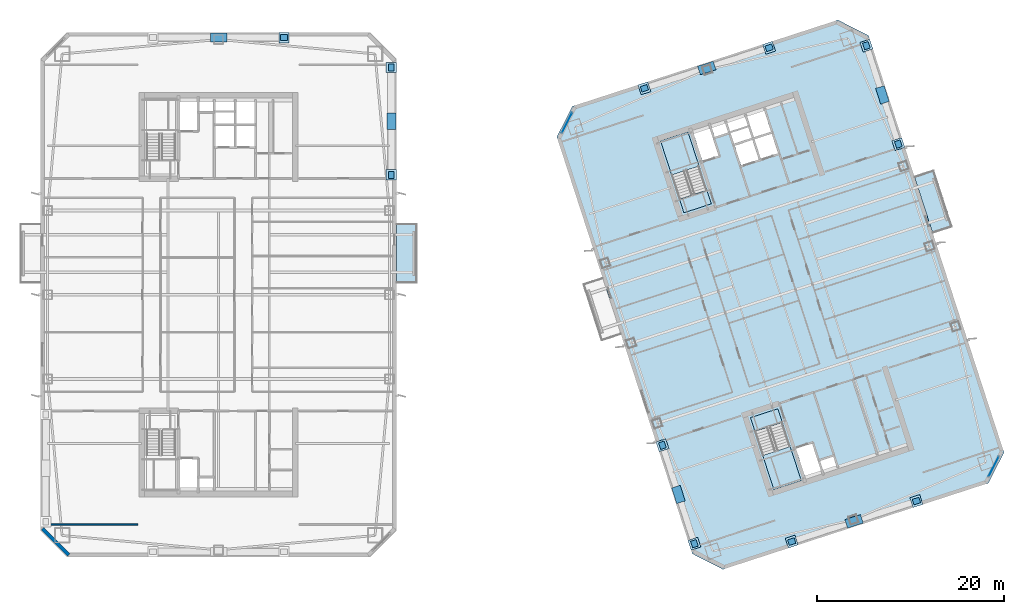
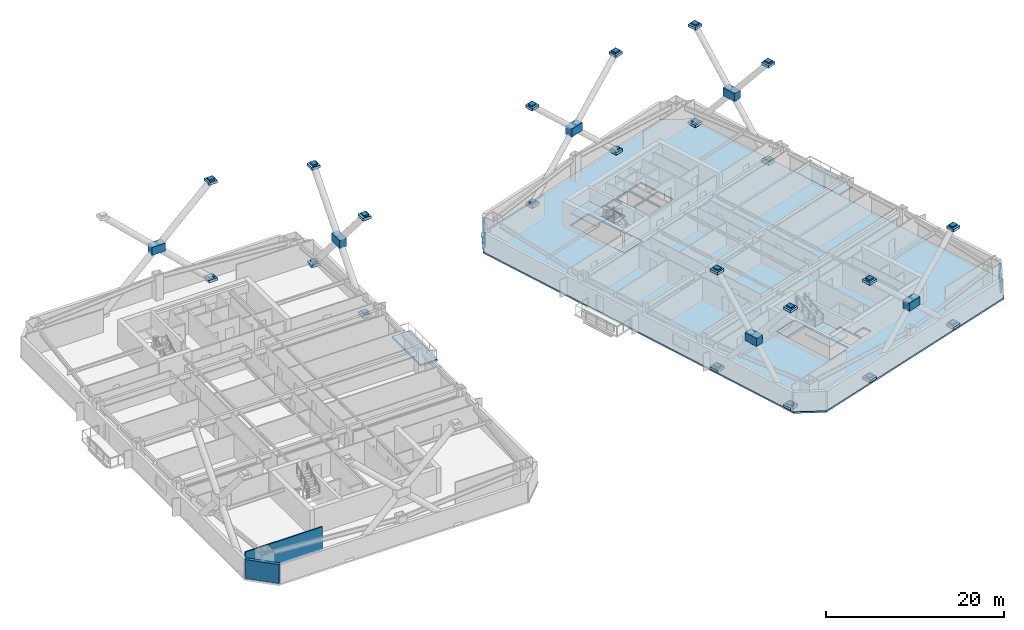
# One storey, part 11 of 24: 54 plates, 7 slabs, 2 walls, 4 elements without a shape of their own.
"""IFC4 building model written with IfcOpenShell, lengths in metres."""

from ifc_helpers import new_model, si_unit, direction, frame, frame_2d, origin, origin_2d, place, context, subcontext, project, spatial, polyline, rectangle, outline, extrude, material, layer, layer_set, type_object, element, aggregate, save


model = new_model("IFC4")

# Units and contexts
model_context = context("Model", 3, precision=1e-05, world=origin(), true_north=direction((0.0, 1.0)))
body_context = subcontext(model_context, "Body", "Model", "MODEL_VIEW")
ifc_project = project(units=[si_unit("LENGTHUNIT", "METRE"), si_unit("AREAUNIT", "SQUARE_METRE"), si_unit("VOLUMEUNIT", "CUBIC_METRE"), si_unit("PLANEANGLEUNIT", "RADIAN"), si_unit("MASSUNIT", "GRAM", prefix="KILO")], contexts=[model_context])

# Site, building, storey
site_placement = place(None, origin())
site = spatial("IfcSite", under=ifc_project, at=site_placement, CompositionType="ELEMENT")
building_placement = place(site_placement, origin())
building = spatial("IfcBuilding", under=site, at=building_placement, Name="Qiaolan Cultural Towers", CompositionType="ELEMENT")
storey_placement = place(building_placement, frame((0.0, 0.0, 120.75)))
storey = spatial("IfcBuildingStorey", under=building, at=storey_placement, Name="L31", CompositionType="ELEMENT", Elevation=120.75)

# Curtain wall, plates
ifc_material_1 = material(Name="Unitized Anodized Aluminium Curtain Wall System", Category="aluminium")
ifc_layer_1 = layer(ifc_material_1, 0.199951171875)
ifc_layer_set_1 = layer_set([ifc_layer_1], Name="Unitized Anodized Aluminium Curtain Wall System")
curtain_wall_type = type_object("IfcCurtainWallType", Name="CWS-03", PredefinedType="NOTDEFINED", material=ifc_layer_set_1)
curtain_wall_1_placement = place(storey_placement, origin())
curtain_wall_1 = element("IfcCurtainWall", 1, at=curtain_wall_1_placement, inside=storey, type_object=curtain_wall_type, Name="L31 T2 Chamfer Wind-Corner Feature Curtain Wall 1", PredefinedType="NOTDEFINED")
ifc_material_2 = material(Name="Laminated Low-E Insulating Glass Unit", Category="glass")
ifc_layer_2 = layer(ifc_material_2, 0.035888671875)
ifc_layer_set_2 = layer_set([ifc_layer_2], Name="Laminated Low-E Insulating Glass Unit")
plate_type_1 = type_object("IfcPlateType", Name="CWS-03-PNL", PredefinedType="CURTAIN_PANEL", material=ifc_layer_set_2)
plate_1_placement = place(storey_placement, frame((67.212158203125, 52.356689453125, 0.215087890625), z_axis=(0.0, 0.0, 1.0), x_axis=(0.453991013436, 0.891006262447, 0.0)))
plate_1 = element("IfcPlate", 2, at=plate_1_placement, type_object=plate_type_1, Name="CW-3 panel 1.1", PredefinedType="CURTAIN_PANEL", context=body_context, shape_type="SweptSolid", body=[
    extrude(rectangle(XDim=2.350341796875, YDim=0.035888671875, at=origin_2d()), origin(), (0.0, 0.0, 1.0), 1.00244140625),
])
plate_2_placement = place(storey_placement, frame((67.212158203125, 52.356689453125, 1.282470703125), z_axis=(0.0, 0.0, 1.0), x_axis=(0.453991013436, 0.891006262447, 0.0)))
plate_2 = element("IfcPlate", 3, at=plate_2_placement, type_object=plate_type_1, Name="CW-3 panel 1.2", PredefinedType="CURTAIN_PANEL", context=body_context, shape_type="SweptSolid", body=[
    extrude(rectangle(XDim=2.350341796875, YDim=0.035888671875, at=origin_2d()), origin(), (0.0, 0.0, 1.0), 1.16259765625),
])
aggregate(curtain_wall_1, [plate_1, plate_2])

curtain_wall_2_placement = place(storey_placement, origin())
curtain_wall_2 = element("IfcCurtainWall", 4, at=curtain_wall_2_placement, inside=storey, type_object=curtain_wall_type, Name="L31 T2 Chamfer Wind-Corner Feature Curtain Wall 2", PredefinedType="NOTDEFINED")
plate_3_placement = place(storey_placement, frame((112.787841796875, 15.643310546875, 0.215087890625), z_axis=(0.0, 0.0, 1.0), x_axis=(-0.453991013436, -0.891006262447, 0.0)))
plate_3 = element("IfcPlate", 5, at=plate_3_placement, type_object=plate_type_1, Name="CW-3 panel 1.1", PredefinedType="CURTAIN_PANEL", context=body_context, shape_type="SweptSolid", body=[
    extrude(rectangle(XDim=2.350341796875, YDim=0.035888671875, at=origin_2d()), origin(), (0.0, 0.0, 1.0), 1.00244140625),
])
plate_4_placement = place(storey_placement, frame((112.787841796875, 15.643310546875, 1.282470703125), z_axis=(0.0, 0.0, 1.0), x_axis=(-0.453991013436, -0.891006262447, 0.0)))
plate_4 = element("IfcPlate", 6, at=plate_4_placement, type_object=plate_type_1, Name="CW-3 panel 1.2", PredefinedType="CURTAIN_PANEL", context=body_context, shape_type="SweptSolid", body=[
    extrude(rectangle(XDim=2.350341796875, YDim=0.035888671875, at=origin_2d()), origin(), (0.0, 0.0, 1.0), 1.16259765625),
])
aggregate(curtain_wall_2, [plate_3, plate_4])

# Plates
ifc_material_3 = material(Name="Steel Q355B", Category="steel")
ifc_layer_3 = layer(ifc_material_3, 0.035888671875)
ifc_layer_set_3 = layer_set([ifc_layer_3], Name="Steel Q355B")
plate_type_2 = type_object("IfcPlateType", Name="PL-CONN-36", PredefinedType="USERDEFINED", material=ifc_layer_set_3)
for number, where, z_axis, x_axis, name in (
    (7, (48.449951171875, 46.800048828125, -0.22021484375), (0.0, 0.0, 1.0), (0.0, 1.0, 0.0), "L31 Brace End Connection Gusset Plate GP-02-0272"),
    (8, (48.449951171875, 58.25, 13.1298828125), (0.0, 0.0, 1.0), (0.0, 1.0, 0.0), "L31 Brace End Connection Gusset Plate GP-02-0273"),
    (9, (48.449951171875, 58.25, -0.22021484375), (0.0, 0.0, 1.0), (0.0, 1.0, 0.0), "L31 Brace End Connection Gusset Plate GP-02-0274"),
    (10, (48.449951171875, 46.800048828125, 13.1298828125), (0.0, 0.0, 1.0), (0.0, 1.0, 0.0), "L31 Brace End Connection Gusset Plate GP-02-0275"),
    (11, (37.0, 61.449951171875, 13.1298828125), (0.0, 0.0, 1.0), (1.0, 0.0, 0.0), "L31 Brace End Connection Gusset Plate GP-02-0281"),
    (12, (37.0, 61.449951171875, -0.22021484375), (0.0, 0.0, 1.0), (1.0, 0.0, 0.0), "L31 Brace End Connection Gusset Plate GP-02-0282"),
    (13, (80.817138671875, 7.410888671875, -0.22021484375), (0.0, 0.0, 1.0), (-0.309016994375, 0.951056516295, 0.0), "L31 Brace End Connection Gusset Plate GP-02-0492"),
    (14, (77.40234375, 17.920166015625, 13.1298828125), (0.0, 0.0, 1.0), (-0.309016994375, 0.951056516295, 0.0), "L31 Brace End Connection Gusset Plate GP-02-0493"),
    (15, (77.40234375, 17.920166015625, -0.22021484375), (0.0, 0.0, 1.0), (-0.309016994375, 0.951056516295, 0.0), "L31 Brace End Connection Gusset Plate GP-02-0494"),
    (16, (80.817138671875, 7.410888671875, 13.1298828125), (0.0, 0.0, 1.0), (-0.309016994375, 0.951056516295, 0.0), "L31 Brace End Connection Gusset Plate GP-02-0495"),
    (17, (102.59765625, 50.079833984375, -0.22021484375), (0.0, 0.0, 1.0), (-0.309016994375, 0.951056516295, 0.0), "L31 Brace End Connection Gusset Plate GP-02-0496"),
    (18, (99.182861328125, 60.589111328125, 13.1298828125), (0.0, 0.0, 1.0), (-0.309016994375, 0.951056516295, 0.0), "L31 Brace End Connection Gusset Plate GP-02-0497"),
    (19, (99.182861328125, 60.589111328125, -0.22021484375), (0.0, 0.0, 1.0), (-0.309016994375, 0.951056516295, 0.0), "L31 Brace End Connection Gusset Plate GP-02-0498"),
    (20, (102.59765625, 50.079833984375, 13.1298828125), (0.0, 0.0, 1.0), (-0.309016994375, 0.951056516295, 0.0), "L31 Brace End Connection Gusset Plate GP-02-0499"),
    (21, (91.20703125, 7.632568359375, -0.22021484375), (0.0, 0.0, 1.0), (0.951056510902, 0.309017010974, 0.0), "L31 Brace End Connection Gusset Plate GP-02-0500"),
    (22, (104.52197265625, 11.958740234375, 13.1298828125), (0.0, 0.0, 1.0), (0.951056510902, 0.309017010974, 0.0), "L31 Brace End Connection Gusset Plate GP-02-0501"),
    (23, (104.52197265625, 11.958740234375, -0.22021484375), (0.0, 0.0, 1.0), (0.951056510902, 0.309017010974, 0.0), "L31 Brace End Connection Gusset Plate GP-02-0502"),
    (24, (91.20703125, 7.632568359375, 13.1298828125), (0.0, 0.0, 1.0), (0.951056510902, 0.309017010974, 0.0), "L31 Brace End Connection Gusset Plate GP-02-0503"),
    (25, (75.47802734375, 56.041259765625, -0.22021484375), (0.0, 0.0, 1.0), (0.951056510902, 0.309017010974, 0.0), "L31 Brace End Connection Gusset Plate GP-02-0504"),
    (26, (88.79296875, 60.367431640625, 13.1298828125), (0.0, 0.0, 1.0), (0.951056510902, 0.309017010974, 0.0), "L31 Brace End Connection Gusset Plate GP-02-0505"),
    (27, (88.79296875, 60.367431640625, -0.22021484375), (0.0, 0.0, 1.0), (0.951056510902, 0.309017010974, 0.0), "L31 Brace End Connection Gusset Plate GP-02-0506"),
    (28, (75.47802734375, 56.041259765625, 13.1298828125), (0.0, 0.0, 1.0), (0.951056510902, 0.309017010974, 0.0), "L31 Brace End Connection Gusset Plate GP-02-0507"),
):
    element("IfcPlate", number, at=place(storey_placement, frame(where, z_axis=z_axis, x_axis=x_axis)), inside=storey, type_object=plate_type_2, Name=name, ObjectType="GUSSET_PLATE", PredefinedType="USERDEFINED", context=body_context, shape_type="SweptSolid", body=[
        extrude(rectangle(XDim=0.739990234375, YDim=0.6201171875, at=origin_2d()), origin(), (0.0, 0.0, 1.0), 0.739990234375),
    ])
ifc_material_4 = material(Name="Steel Q355B", Category="steel")
ifc_layer_4 = layer(ifc_material_4, 0.030029296875)
ifc_layer_set_4 = layer_set([ifc_layer_4], Name="Steel Q355B")
plate_type_3 = type_object("IfcPlateType", Name="PL-ENDCAP-30", PredefinedType="USERDEFINED", material=ifc_layer_set_4)
for number, where, z_axis, x_axis, name in (
    (29, (48.449951171875, 46.800048828125, -0.025146484375), (0.0, 0.0, 1.0), (0.0, 1.0, 0.0), "Hollow Brace End Seal Cap Plate CP-01"),
    (30, (48.449951171875, 58.25, -0.025146484375), (0.0, 0.0, 1.0), (0.0, 1.0, 0.0), "Hollow Brace End Seal Cap Plate CP-01"),
    (31, (48.449951171875, 46.800048828125, 13.324951171875), (0.0, 0.0, 1.0), (0.0, 1.0, 0.0), "Hollow Brace End Seal Cap Plate CP-01"),
    (32, (48.449951171875, 58.25, 13.324951171875), (0.0, 0.0, 1.0), (0.0, 1.0, 0.0), "Hollow Brace End Seal Cap Plate CP-01"),
    (33, (37.0, 61.449951171875, -0.025146484375), (0.0, 0.0, 1.0), (1.0, 0.0, 0.0), "Hollow Brace End Seal Cap Plate CP-01"),
    (34, (37.0, 61.449951171875, 13.324951171875), (0.0, 0.0, 1.0), (1.0, 0.0, 0.0), "Hollow Brace End Seal Cap Plate CP-01"),
    (35, (80.817138671875, 7.410888671875, -0.025146484375), (0.0, 0.0, 1.0), (-0.309016994375, 0.951056516295, 0.0), "Hollow Brace End Seal Cap Plate CP-01"),
    (36, (77.40234375, 17.920166015625, -0.025146484375), (0.0, 0.0, 1.0), (-0.309016994375, 0.951056516295, 0.0), "Hollow Brace End Seal Cap Plate CP-01"),
    (37, (80.817138671875, 7.410888671875, 13.324951171875), (0.0, 0.0, 1.0), (-0.309016994375, 0.951056516295, 0.0), "Hollow Brace End Seal Cap Plate CP-01"),
    (38, (77.40234375, 17.920166015625, 13.324951171875), (0.0, 0.0, 1.0), (-0.309016994375, 0.951056516295, 0.0), "Hollow Brace End Seal Cap Plate CP-01"),
    (39, (102.59765625, 50.079833984375, -0.025146484375), (0.0, 0.0, 1.0), (-0.309016994375, 0.951056516295, 0.0), "Hollow Brace End Seal Cap Plate CP-01"),
    (40, (99.182861328125, 60.589111328125, -0.025146484375), (0.0, 0.0, 1.0), (-0.309016994375, 0.951056516295, 0.0), "Hollow Brace End Seal Cap Plate CP-01"),
    (41, (102.59765625, 50.079833984375, 13.324951171875), (0.0, 0.0, 1.0), (-0.309016994375, 0.951056516295, 0.0), "Hollow Brace End Seal Cap Plate CP-01"),
    (42, (99.182861328125, 60.589111328125, 13.324951171875), (0.0, 0.0, 1.0), (-0.309016994375, 0.951056516295, 0.0), "Hollow Brace End Seal Cap Plate CP-01"),
    (43, (91.20703125, 7.632568359375, -0.025146484375), (0.0, 0.0, 1.0), (0.951056516295, 0.309016994375, 0.0), "Hollow Brace End Seal Cap Plate CP-01"),
    (44, (104.52197265625, 11.958740234375, -0.025146484375), (0.0, 0.0, 1.0), (0.951056516295, 0.309016994375, 0.0), "Hollow Brace End Seal Cap Plate CP-01"),
    (45, (91.20703125, 7.632568359375, 13.324951171875), (0.0, 0.0, 1.0), (0.951056516295, 0.309016994375, 0.0), "Hollow Brace End Seal Cap Plate CP-01"),
    (46, (104.52197265625, 11.958740234375, 13.324951171875), (0.0, 0.0, 1.0), (0.951056516295, 0.309016994375, 0.0), "Hollow Brace End Seal Cap Plate CP-01"),
    (47, (75.47802734375, 56.041259765625, -0.025146484375), (0.0, 0.0, 1.0), (0.951056516295, 0.309016994375, 0.0), "Hollow Brace End Seal Cap Plate CP-01"),
    (48, (88.79296875, 60.367431640625, -0.025146484375), (0.0, 0.0, 1.0), (0.951056516295, 0.309016994375, 0.0), "Hollow Brace End Seal Cap Plate CP-01"),
    (49, (75.47802734375, 56.041259765625, 13.324951171875), (0.0, 0.0, 1.0), (0.951056516295, 0.309016994375, 0.0), "Hollow Brace End Seal Cap Plate CP-01"),
    (50, (88.79296875, 60.367431640625, 13.324951171875), (0.0, 0.0, 1.0), (0.951056516295, 0.309016994375, 0.0), "Hollow Brace End Seal Cap Plate CP-01"),
):
    element("IfcPlate", number, at=place(storey_placement, frame(where, z_axis=z_axis, x_axis=x_axis)), inside=storey, type_object=plate_type_3, Name=name, ObjectType="BASE_PLATE", PredefinedType="USERDEFINED", context=body_context, shape_type="SweptSolid", body=[
        extrude(rectangle(XDim=1.10009765625, YDim=1.10009765625, at=origin_2d()), origin(), (0.0, 0.0, 1.0), 0.35009765625),
    ])
ifc_material_5 = material(Name="Steel Q390GJB", Category="steel")
ifc_layer_5 = layer(ifc_material_5, 0.0419921875)
ifc_layer_set_5 = layer_set([ifc_layer_5], Name="Steel Q390GJB")
plate_type_4 = type_object("IfcPlateType", Name="PL-NODE-ND01", PredefinedType="USERDEFINED", material=ifc_layer_set_5)
plate_5_placement = place(storey_placement, frame((82.135498046875, 58.204345703125, 6.27490234375), z_axis=(0.0, 0.0, 1.0), x_axis=(0.951056516295, 0.309016994375, 0.0)))
element("IfcPlate", 51, at=plate_5_placement, inside=storey, type_object=plate_type_4, Name="Perimeter Frame Gusset Node Assembly ND-01", ObjectType="GUSSET_PLATE", PredefinedType="USERDEFINED", context=body_context, shape_type="SweptSolid", body=[
    extrude(rectangle(XDim=1.760009765625, YDim=0.9599609375, at=origin_2d()), origin(), (0.0, 0.0, 1.0), 1.10009765625),
])
ifc_material_6 = material(Name="Steel Q390GJB", Category="steel")
ifc_layer_6 = layer(ifc_material_6, 0.0458984375)
ifc_layer_set_6 = layer_set([ifc_layer_6], Name="Steel Q390GJB")
plate_type_5 = type_object("IfcPlateType", Name="PL-NODE-ND03", PredefinedType="USERDEFINED", material=ifc_layer_set_6)
plate_6_placement = place(storey_placement, frame((48.449951171875, 52.52490234375, 6.27490234375), z_axis=(0.0, 0.0, 1.0), x_axis=(0.0, 1.0, 0.0)))
element("IfcPlate", 52, at=plate_6_placement, inside=storey, type_object=plate_type_5, Name="Perimeter Frame Gusset Node Assembly ND-03", ObjectType="GUSSET_PLATE", PredefinedType="USERDEFINED", context=body_context, shape_type="SweptSolid", body=[
    extrude(rectangle(XDim=1.760009765625, YDim=0.9599609375, at=origin_2d()), origin(), (0.0, 0.0, 1.0), 1.10009765625),
])
ifc_material_7 = material(Name="Steel Q390GJB", Category="steel")
ifc_layer_7 = layer(ifc_material_7, 0.0419921875)
ifc_layer_set_7 = layer_set([ifc_layer_7], Name="Steel Q390GJB")
plate_type_6 = type_object("IfcPlateType", Name="PL-NODE-ND05", PredefinedType="USERDEFINED", material=ifc_layer_set_7)
plate_7_placement = place(storey_placement, frame((30.0, 61.449951171875, 6.27490234375), z_axis=(0.0, 0.0, 1.0), x_axis=(1.0, 0.0, 0.0)))
element("IfcPlate", 53, at=plate_7_placement, inside=storey, type_object=plate_type_6, Name="Perimeter Frame Gusset Node Assembly ND-05", ObjectType="GUSSET_PLATE", PredefinedType="USERDEFINED", context=body_context, shape_type="SweptSolid", body=[
    extrude(rectangle(XDim=1.760009765625, YDim=0.9599609375, at=origin_2d()), origin(), (0.0, 0.0, 1.0), 1.10009765625),
])
ifc_material_8 = material(Name="Steel Q390GJB", Category="steel")
ifc_layer_8 = layer(ifc_material_8, 0.0439453125)
ifc_layer_set_8 = layer_set([ifc_layer_8], Name="Steel Q390GJB")
plate_type_7 = type_object("IfcPlateType", Name="PL-NODE-ND10", PredefinedType="USERDEFINED", material=ifc_layer_set_8)
plate_8_placement = place(storey_placement, frame((79.109619140625, 12.66552734375, 6.27490234375), z_axis=(0.0, 0.0, 1.0), x_axis=(-0.309016994375, 0.951056516295, 0.0)))
element("IfcPlate", 54, at=plate_8_placement, inside=storey, type_object=plate_type_7, Name="Perimeter Frame Gusset Node Assembly ND-10", ObjectType="GUSSET_PLATE", PredefinedType="USERDEFINED", context=body_context, shape_type="SweptSolid", body=[
    extrude(rectangle(XDim=1.760009765625, YDim=0.9599609375, at=origin_2d()), origin(), (0.0, 0.0, 1.0), 1.10009765625),
])
ifc_material_9 = material(Name="Steel Q390GJB", Category="steel")
ifc_layer_9 = layer(ifc_material_9, 0.0458984375)
ifc_layer_set_9 = layer_set([ifc_layer_9], Name="Steel Q390GJB")
plate_type_8 = type_object("IfcPlateType", Name="PL-NODE-ND11", PredefinedType="USERDEFINED", material=ifc_layer_set_9)
plate_9_placement = place(storey_placement, frame((100.890380859375, 55.33447265625, 6.27490234375), z_axis=(0.0, 0.0, 1.0), x_axis=(-0.309016994375, 0.951056516295, 0.0)))
element("IfcPlate", 55, at=plate_9_placement, inside=storey, type_object=plate_type_8, Name="Perimeter Frame Gusset Node Assembly ND-11", ObjectType="GUSSET_PLATE", PredefinedType="USERDEFINED", context=body_context, shape_type="SweptSolid", body=[
    extrude(rectangle(XDim=1.760009765625, YDim=0.9599609375, at=origin_2d()), origin(), (0.0, 0.0, 1.0), 1.10009765625),
])
ifc_material_10 = material(Name="Steel Q390GJB", Category="steel")
ifc_layer_10 = layer(ifc_material_10, 0.0400390625)
ifc_layer_set_10 = layer_set([ifc_layer_10], Name="Steel Q390GJB")
plate_type_9 = type_object("IfcPlateType", Name="PL-NODE-ND12", PredefinedType="USERDEFINED", material=ifc_layer_set_10)
plate_10_placement = place(storey_placement, frame((97.864501953125, 9.795654296875, 6.27490234375), z_axis=(0.0, 0.0, 1.0), x_axis=(0.951056516295, 0.309016994375, 0.0)))
element("IfcPlate", 56, at=plate_10_placement, inside=storey, type_object=plate_type_9, Name="Perimeter Frame Gusset Node Assembly ND-12", ObjectType="GUSSET_PLATE", PredefinedType="USERDEFINED", context=body_context, shape_type="SweptSolid", body=[
    extrude(rectangle(XDim=1.760009765625, YDim=0.9599609375, at=origin_2d()), origin(), (0.0, 0.0, 1.0), 1.10009765625),
])

# Slabs
ifc_material_11 = material(Name="Concrete C45", Category="concrete")
ifc_layer_11 = layer(ifc_material_11, 0.239990234375)
ifc_layer_set_11 = layer_set([ifc_layer_11], Name="Concrete C45")
slab_type_1 = type_object("IfcSlabType", Name="SL-BAL-240", PredefinedType="FLOOR", material=ifc_layer_set_11)
slab_1_placement = place(storey_placement, frame((0.0, 0.0, -0.239990234375)))
element("IfcSlab", 57, at=slab_1_placement, inside=storey, type_object=slab_type_1, Name="L31 T1 Planted Tree Balcony E", PredefinedType="FLOOR", context=body_context, shape_type="SweptSolid", body=[
    extrude(outline(polyline([(49.0, 35.199951171875), (51.199951171875, 35.199951171875), (51.199951171875, 41.60009765625), (49.0, 41.60009765625), (49.0, 35.199951171875)])), origin(), (0.0, 0.0, 1.0), 0.239990234375),
])
slab_2_placement = place(storey_placement, frame((0.0, 0.0, -0.239990234375)))
element("IfcSlab", 58, at=slab_2_placement, inside=storey, type_object=slab_type_1, Name="L31 T2 Planted Tree Balcony E", PredefinedType="FLOOR", context=body_context, shape_type="SweptSolid", body=[
    extrude(outline(polyline([(106.272705078125, 40.549072265625), (108.364990234375, 41.22900390625), (106.38720703125, 47.315673828125), (104.294921875, 46.6357421875), (106.272705078125, 40.549072265625)])), origin(), (0.0, 0.0, 1.0), 0.239990234375),
])

# Stair, slab
ifc_material_12 = material(Name="Concrete C45", Category="concrete")
stair_type = type_object("IfcStairType", Name="STR-CORE-1500", PredefinedType="HALF_TURN_STAIR", material=ifc_material_12)
stair_1_placement = place(storey_placement, origin())
stair_1 = element("IfcStair", 59, at=stair_1_placement, inside=storey, type_object=stair_type, Name="L31 Smokeproof Exit Stair ST-E1", PredefinedType="HALF_TURN_STAIR")
ifc_material_13 = material(Name="Concrete C45", Category="concrete")
ifc_layer_12 = layer(ifc_material_13, 0.199951171875)
ifc_layer_set_12 = layer_set([ifc_layer_12], Name="Concrete C45")
slab_type_2 = type_object("IfcSlabType", Name="SL-STAIR-LAND", PredefinedType="LANDING", material=ifc_layer_set_12)
slab_3_placement = place(storey_placement, frame((0.0, 0.0, 1.52490234375)))
slab_3 = element("IfcSlab", 60, at=slab_3_placement, type_object=slab_type_2, Name="ST-E1 landing 1", PredefinedType="LANDING", context=body_context, shape_type="SweptSolid", body=[
    extrude(outline(polyline([(88.114013671875, 16.828125), (89.30419921875, 13.165283203125), (92.2333984375, 14.116943359375), (91.04345703125, 17.77978515625), (88.114013671875, 16.828125)])), origin(), (0.0, 0.0, 1.0), 0.2001953125),
])
aggregate(stair_1, [slab_3])

stair_2_placement = place(storey_placement, origin())
stair_2 = element("IfcStair", 61, at=stair_2_placement, inside=storey, type_object=stair_type, Name="L31 Smokeproof Exit Stair ST-E2", PredefinedType="HALF_TURN_STAIR")
slab_4_placement = place(storey_placement, frame((0.0, 0.0, 1.52490234375)))
slab_4 = element("IfcSlab", 62, at=slab_4_placement, type_object=slab_type_2, Name="ST-E2 landing 1", PredefinedType="LANDING", context=body_context, shape_type="SweptSolid", body=[
    extrude(outline(polyline([(81.31005859375, 47.735595703125), (80.1201171875, 51.3984375), (77.190673828125, 50.44677734375), (78.380859375, 46.783935546875), (81.31005859375, 47.735595703125)])), origin(), (0.0, 0.0, 1.0), 0.2001953125),
])
aggregate(stair_2, [slab_4])

# Slabs
ifc_material_14 = material(Name="Concrete C40", Category="concrete")
ifc_layer_13 = layer(ifc_material_14, 0.360107421875)
ifc_layer_set_13 = layer_set([ifc_layer_13], Name="Concrete C40")
slab_type_3 = type_object("IfcSlabType", Name="SL-STFLR-360", PredefinedType="LANDING", material=ifc_layer_set_13)
slab_5_placement = place(storey_placement, frame((0.0, 0.0, -0.360107421875)))
element("IfcSlab", 63, at=slab_5_placement, inside=storey, type_object=slab_type_3, Name="L31 ST-E1 Stair Floor Landing Slab", PredefinedType="LANDING", context=body_context, shape_type="SweptSolid", body=[
    extrude(outline(polyline([(86.8037109375, 20.867431640625), (87.282470703125, 19.39404296875), (90.2080078125, 20.3447265625), (89.729248046875, 21.818115234375), (86.8037109375, 20.867431640625)])), origin(), (0.0, 0.0, 1.0), 0.360107421875),
])
slab_6_placement = place(storey_placement, frame((0.0, 0.0, -0.360107421875)))
element("IfcSlab", 64, at=slab_6_placement, inside=storey, type_object=slab_type_3, Name="L31 ST-E2 Stair Floor Landing Slab", PredefinedType="LANDING", context=body_context, shape_type="SweptSolid", body=[
    extrude(outline(polyline([(82.62060546875, 43.6962890625), (82.141845703125, 45.169677734375), (79.21630859375, 44.21923828125), (79.695068359375, 42.74560546875), (82.62060546875, 43.6962890625)])), origin(), (0.0, 0.0, 1.0), 0.360107421875),
])
ifc_material_15 = material(Name="Concrete C45", Category="concrete")
ifc_layer_14 = layer(ifc_material_15, 0.219970703125)
ifc_layer_set_14 = layer_set([ifc_layer_14], Name="Concrete C45")
slab_type_4 = type_object("IfcSlabType", Name="SL-TYP-220", PredefinedType="FLOOR", material=ifc_layer_set_14)
slab_7_placement = place(storey_placement, frame((0.0, 0.0, -0.219970703125)))
element("IfcSlab", 65, at=slab_7_placement, inside=storey, type_object=slab_type_4, Name="L31 East Tower Floor Slab", PredefinedType="FLOOR", context=body_context, shape_type="SweptSolid", body=[
    extrude(outline(polyline([(83.86376953125, 4.668212890625), (112.205078125, 13.876953125), (113.87451171875, 17.153076171875), (99.41259765625, 61.66259765625), (96.13623046875, 63.331787109375), (67.794921875, 54.123046875), (66.12548828125, 50.846923828125), (80.58740234375, 6.33740234375), (83.86376953125, 4.668212890625)]), holes=[polyline([(86.80126953125, 20.868896484375), (89.30419921875, 13.165283203125), (92.2333984375, 14.116943359375), (89.73046875, 21.820556640625), (86.80126953125, 20.868896484375)]), polyline([(82.623046875, 43.69482421875), (80.1201171875, 51.3984375), (77.190673828125, 50.44677734375), (79.69384765625, 42.7431640625), (82.623046875, 43.69482421875)]), polyline([(92.666259765625, 14.468017578125), (94.42578125, 15.03955078125), (93.42138671875, 18.130615234375), (91.661865234375, 17.558837890625), (92.666259765625, 14.468017578125)]), polyline([(94.5908203125, 15.14599609375), (96.027099609375, 15.612548828125), (95.66552734375, 16.725341796875), (94.2294921875, 16.258544921875), (94.5908203125, 15.14599609375)]), polyline([(81.6806640625, 48.278076171875), (83.440185546875, 48.849609375), (82.435791015625, 51.940673828125), (80.67626953125, 51.368896484375), (81.6806640625, 48.278076171875)]), polyline([(82.993408203125, 50.839111328125), (84.4296875, 51.3056640625), (84.068115234375, 52.41845703125), (82.632080078125, 51.95166015625), (82.993408203125, 50.839111328125)]), polyline([(85.810302734375, 47.80078125), (87.71240234375, 48.418701171875), (87.013916015625, 50.568115234375), (85.11181640625, 49.9501953125), (85.810302734375, 47.80078125)]), polyline([(87.902587890625, 48.480712890625), (89.74755859375, 49.080078125), (89.04931640625, 51.2294921875), (87.2041015625, 50.6298828125), (87.902587890625, 48.480712890625)]), polyline([(85.05322265625, 50.130859375), (86.936279296875, 50.74267578125), (86.169921875, 53.101318359375), (84.286865234375, 52.489501953125), (85.05322265625, 50.130859375)]), polyline([(87.1455078125, 50.810791015625), (88.990478515625, 51.41015625), (88.22412109375, 53.768798828125), (86.379150390625, 53.169189453125), (87.1455078125, 50.810791015625)])]), origin(), (0.0, 0.0, 1.0), 0.219970703125),
])

# Walls
ifc_material_16 = material(Name="Precast Concrete C50 Honed Stone Pier", Category="masonry")
ifc_layer_15 = layer(ifc_material_16, 0.39990234375)
ifc_layer_set_15 = layer_set([ifc_layer_15], Name="Precast Concrete C50 Honed Stone Pier")
wall_type_1 = type_object("IfcWallType", Name="WL-EXT-PIER-400", PredefinedType="SOLIDWALL", material=ifc_layer_set_15)
wall_1_placement = place(storey_placement, frame((14.0, 6.199951171875, 0.0), z_axis=(0.0, 0.0, 1.0), x_axis=(-0.707106781187, 0.707106781187, 0.0)))
element("IfcWall", 66, at=wall_1_placement, inside=storey, type_object=wall_type_1, Name="L31 West Tower Precast Pier Facade Wall F8", PredefinedType="SOLIDWALL", context=body_context, shape_type="SweptSolid", body=[
    extrude(rectangle(XDim=3.9599609375, YDim=0.39990234375, at=frame_2d((1.97998046875, 0.0))), origin(), (0.0, 0.0, 1.0), 2.610107421875),
])
ifc_material_17 = material(Name="Autoclaved Aerated Concrete Block B06", Category="concrete")
ifc_layer_16 = layer(ifc_material_17, 0.14990234375)
ifc_layer_set_16 = layer_set([ifc_layer_16], Name="Autoclaved Aerated Concrete Block B06")
wall_type_2 = type_object("IfcWallType", Name="WL-PART-150", PredefinedType="PARTITIONING", material=ifc_layer_set_16)
wall_2_placement = place(storey_placement, frame((11.39990234375, 9.449951171875, 0.0), z_axis=(0.0, 0.0, 1.0), x_axis=(1.0, 0.0, 0.0)))
element("IfcWall", 67, at=wall_2_placement, inside=storey, type_object=wall_type_2, Name="L31 T1 Flank Wall FLK-SW", PredefinedType="PARTITIONING", context=body_context, shape_type="SweptSolid", body=[
    extrude(rectangle(XDim=10.0, YDim=0.14990234375, at=frame_2d((5.0, 0.0))), origin(), (0.0, 0.0, 1.0), 3.175048828125),
])

save(model, "model.ifc")
